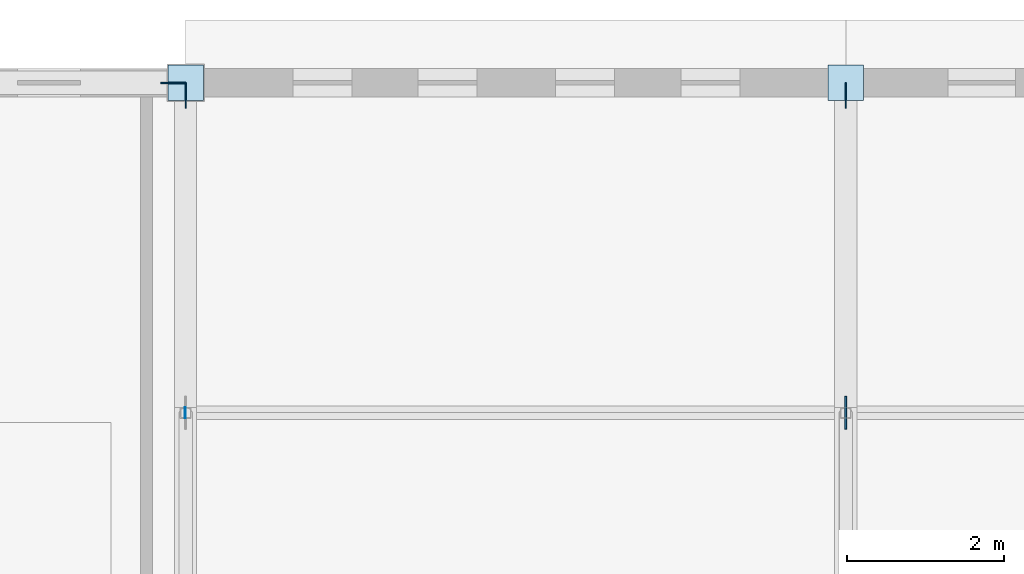
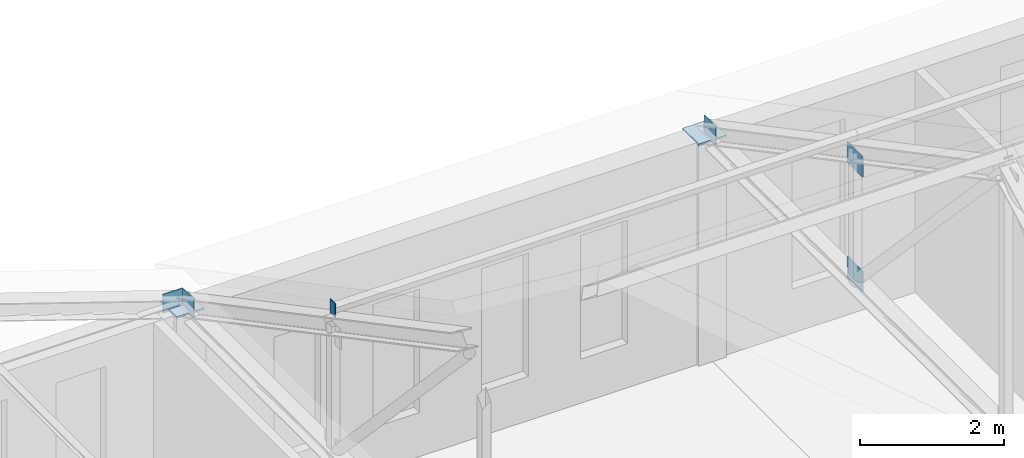
# One storey, part 38 of 56: 8 plates.
"""IFC4 building model written with IfcOpenShell, lengths in metres."""

from ifc_helpers import new_model, si_unit, direction, frame, origin, origin_2d, place, context, subcontext, project, spatial, rectangle, extrude, material, layer, layer_set, type_object, element, save


model = new_model("IFC4")

# Units and contexts
model_context = context("Model", 3, precision=1e-05, world=origin(), true_north=direction((0.0, 1.0)))
body_context = subcontext(model_context, "Body", "Model", "MODEL_VIEW")
ifc_project = project(units=[si_unit("LENGTHUNIT", "METRE"), si_unit("AREAUNIT", "SQUARE_METRE"), si_unit("VOLUMEUNIT", "CUBIC_METRE"), si_unit("PLANEANGLEUNIT", "RADIAN"), si_unit("MASSUNIT", "GRAM", prefix="KILO")], contexts=[model_context])

# Site, building, storey
site_placement = place(None, origin())
site = spatial("IfcSite", under=ifc_project, at=site_placement, CompositionType="ELEMENT")
building_placement = place(site_placement, origin())
building = spatial("IfcBuilding", under=site, at=building_placement, Name="Kveldsbrygga Polytechnic", CompositionType="ELEMENT")
storey_placement = place(building_placement, frame((0.0, 0.0, 18.02001953125)))
storey = spatial("IfcBuildingStorey", under=building, at=storey_placement, Name="L04", CompositionType="ELEMENT", Elevation=18.02001953125)

# Plates
ifc_material = material(Name="Steel S355", Category="steel")
ifc_layer_1 = layer(ifc_material, 0.030029296875)
ifc_layer_set_1 = layer_set([ifc_layer_1], Name="Steel S355")
plate_type_1 = type_object("IfcPlateType", Name="CAP-BEAR-450", PredefinedType="SHEET", material=ifc_layer_set_1)
for number, where, z_axis, x_axis, name in (
    (1, (126.0, 117.60009765625, 3.75), (0.0, 0.0, 1.0), (1.0, 0.0, 0.0), "Truss Bearing Plate V4NE5-T05-B"),
    (2, (134.39990234375, 117.60009765625, 3.75), (0.0, 0.0, 1.0), (1.0, 0.0, 0.0), "Truss Bearing Plate V4N5-T02-B"),
):
    element("IfcPlate", number, at=place(storey_placement, frame(where, z_axis=z_axis, x_axis=x_axis)), inside=storey, type_object=plate_type_1, Name=name, PredefinedType="SHEET", context=body_context, shape_type="SweptSolid", body=[
        extrude(rectangle(XDim=0.449951171875, YDim=0.449951171875, at=origin_2d()), origin(), (0.0, 0.0, 1.0), 0.030029296875),
    ])
ifc_layer_2 = layer(ifc_material, 0.011962890625)
ifc_layer_set_2 = layer_set([ifc_layer_2], Name="Steel S355")
plate_type_2 = type_object("IfcPlateType", Name="CAP-PRL-200", PredefinedType="SHEET", material=ifc_layer_set_2)
plate_1_placement = place(storey_placement, frame((125.993896484375, 113.39990234375, 6.1455078125), z_axis=(0.0, 0.0, 1.0), x_axis=(1.0, 0.0, 0.0)))
element("IfcPlate", 3, at=plate_1_placement, inside=storey, type_object=plate_type_2, Name="Purlin End Cap Plate V4N5-EP-A-3", PredefinedType="SHEET", context=body_context, shape_type="SweptSolid", body=[
    extrude(rectangle(XDim=0.011962890625, YDim=0.139892578125, at=origin_2d()), origin(), (0.0, 0.0, 1.0), 0.239990234375),
])
ifc_layer_3 = layer(ifc_material, 0.01806640625)
ifc_layer_set_3 = layer_set([ifc_layer_3], Name="Steel S355")
plate_type_3 = type_object("IfcPlateType", Name="GUS-BRACE-320", PredefinedType="SHEET", material=ifc_layer_set_3)
plate_2_placement = place(storey_placement, frame((125.840087890625, 117.60009765625, 3.73974609375), z_axis=(0.0, 0.0, 1.0), x_axis=(1.0, 0.0, 0.0)))
element("IfcPlate", 4, at=plate_2_placement, inside=storey, type_object=plate_type_3, Name="Truss Eaves Node Gusset V4NE5-T05-EGP-B", PredefinedType="SHEET", context=body_context, shape_type="SweptSolid", body=[
    extrude(rectangle(XDim=0.320068359375, YDim=0.01806640625, at=origin_2d()), origin(), (0.0, 0.0, 1.0), 0.320068359375),
])
for number, where, z_axis, x_axis, name in (
    (5, (126.0, 117.43994140625, 3.73974609375), (0.0, 0.0, 1.0), (1.0, 0.0, 0.0), "Truss Eaves Node Gusset V4N5-T01-EGP-B"),
    (6, (134.39990234375, 117.43994140625, 3.73974609375), (0.0, 0.0, 1.0), (1.0, 0.0, 0.0), "Truss Eaves Node Gusset V4N5-T02-EGP-B"),
):
    element("IfcPlate", number, at=place(storey_placement, frame(where, z_axis=z_axis, x_axis=x_axis)), inside=storey, type_object=plate_type_3, Name=name, PredefinedType="SHEET", context=body_context, shape_type="SweptSolid", body=[
        extrude(rectangle(XDim=0.01806640625, YDim=0.320068359375, at=origin_2d()), origin(), (0.0, 0.0, 1.0), 0.320068359375),
    ])
ifc_layer_4 = layer(ifc_material, 0.02001953125)
ifc_layer_set_4 = layer_set([ifc_layer_4], Name="Steel S355")
plate_type_4 = type_object("IfcPlateType", Name="GUS-LECT-420", PredefinedType="SHEET", material=ifc_layer_set_4)
for number, where, z_axis, x_axis, name in (
    (7, (134.39990234375, 113.39990234375, 5.679931640625), (0.0, 0.0, 1.0), (1.0, 0.0, 0.0), "Truss Gusset Plate V4N5-T02-GP-3"),
    (8, (134.39990234375, 113.39990234375, 3.724853515625), (0.0, 0.0, 1.0), (1.0, 0.0, 0.0), "Truss Bottom-Chord Node Gusset V4N5-T02-BGP-3"),
):
    element("IfcPlate", number, at=place(storey_placement, frame(where, z_axis=z_axis, x_axis=x_axis)), inside=storey, type_object=plate_type_4, Name=name, PredefinedType="SHEET", context=body_context, shape_type="SweptSolid", body=[
        extrude(rectangle(XDim=0.02001953125, YDim=0.419921875, at=origin_2d()), origin(), (0.0, 0.0, 1.0), 0.35009765625),
    ])

save(model, "model.ifc")
